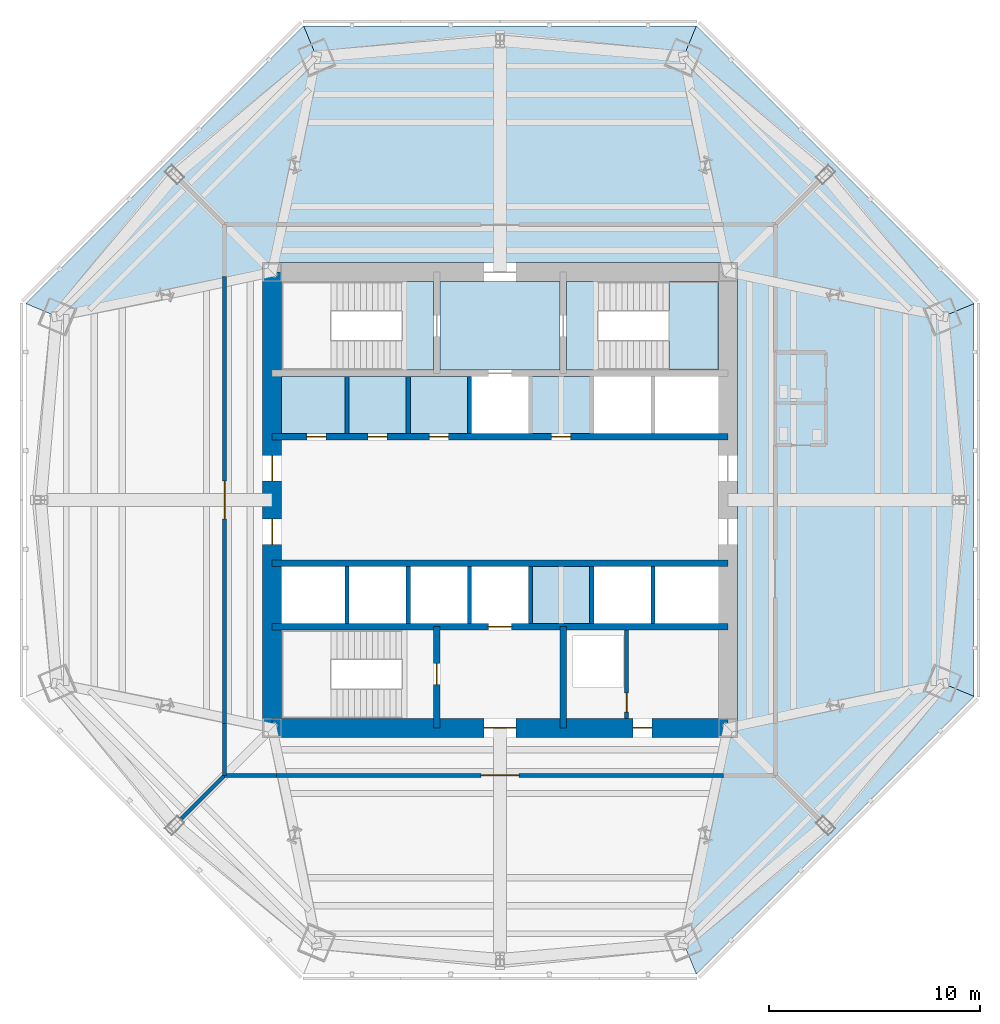
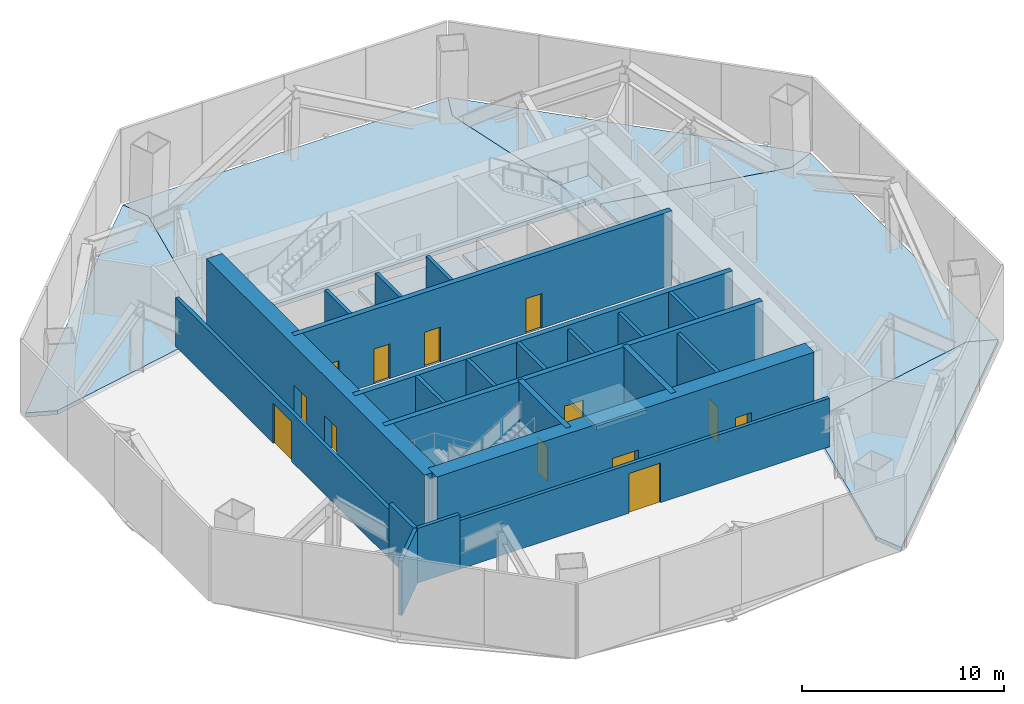
# One storey, part 4 of 9: 22 walls, 13 doors, 12 slabs, 13 openings, 2 elements without a shape of their own.
"""IFC4 building model written with IfcOpenShell, lengths in metres."""

from ifc_helpers import new_model, si_unit, direction, frame, frame_2d, origin, place, context, subcontext, project, spatial, polyline, rectangle, outline, extrude, material, layer, layer_set, type_object, element, fill, aggregate, save


model = new_model("IFC4")

# Units and contexts
model_context = context("Model", 3, precision=1e-05, world=origin(), true_north=direction((0.0, 1.0)))
body_context = subcontext(model_context, "Body", "Model", "MODEL_VIEW")
ifc_project = project(units=[si_unit("LENGTHUNIT", "METRE"), si_unit("AREAUNIT", "SQUARE_METRE"), si_unit("VOLUMEUNIT", "CUBIC_METRE"), si_unit("PLANEANGLEUNIT", "RADIAN"), si_unit("MASSUNIT", "GRAM", prefix="KILO")], contexts=[model_context])

# Site, building, storey
site_placement = place(None, origin())
site = spatial("IfcSite", under=ifc_project, at=site_placement, CompositionType="ELEMENT")
building_placement = place(site_placement, origin())
building = spatial("IfcBuilding", under=site, at=building_placement, Name="Mashrafa Tower", CompositionType="ELEMENT")
storey_placement = place(building_placement, frame((0.0, 0.0, 189.0)))
storey = spatial("IfcBuildingStorey", under=building, at=storey_placement, Name="L43", CompositionType="ELEMENT", Elevation=189.0)

# Slabs
ifc_material_1 = material(Name="Concrete C35/45", Category="concrete")
ifc_layer_1 = layer(ifc_material_1, 0.25)
ifc_layer_set_1 = layer_set([ifc_layer_1], Name="Floor slab 250")
slab_type_1 = type_object("IfcSlabType", Name="Floor slab 250", PredefinedType="FLOOR", material=ifc_layer_set_1)
slab_1_placement = place(storey_placement, frame((0.0, 0.0, -0.25)))
element("IfcSlab", 1, at=slab_1_placement, inside=storey, type_object=slab_type_1, Name="Floor slab L43 east bay", PredefinedType="FLOOR", context=body_context, shape_type="SweptSolid", body=[
    extrude(outline(polyline([(22.46826171875, 9.306640625), (22.46826171875, -9.306640625), (22.468017578125, -9.306640625), (20.9970703125, -8.697265625), (11.25, -10.707275390625), (11.25, 10.707275390625), (20.9970703125, 8.697265625), (22.468017578125, 9.306640625), (22.46826171875, 9.306640625)])), origin(), (0.0, 0.0, 1.0), 0.25),
])
slab_2_placement = place(storey_placement, frame((0.0, 0.0, -0.25)))
element("IfcSlab", 2, at=slab_2_placement, inside=storey, type_object=slab_type_1, Name="Floor slab L43 north-east bay", PredefinedType="FLOOR", context=body_context, shape_type="SweptSolid", body=[
    extrude(outline(polyline([(22.468017578125, 9.306640625), (20.9970703125, 8.697265625), (11.25, 10.707275390625), (11.25, 11.25), (10.707275390625, 11.25), (8.697265625, 20.9970703125), (9.306640625, 22.468017578125), (22.468017578125, 9.306640625)])), origin(), (0.0, 0.0, 1.0), 0.25),
])
slab_3_placement = place(storey_placement, frame((0.0, 0.0, -0.25)))
element("IfcSlab", 3, at=slab_3_placement, inside=storey, type_object=slab_type_1, Name="Floor slab L43 north bay", PredefinedType="FLOOR", context=body_context, shape_type="SweptSolid", body=[
    extrude(outline(polyline([(-9.306640625, 22.46826171875), (9.306640625, 22.46826171875), (9.306640625, 22.468017578125), (8.697265625, 20.9970703125), (10.707275390625, 11.25), (-10.707275390625, 11.25), (-8.697265625, 20.9970703125), (-9.306640625, 22.468017578125), (-9.306640625, 22.46826171875)])), origin(), (0.0, 0.0, 1.0), 0.25),
])
slab_4_placement = place(storey_placement, frame((0.0, 0.0, -0.25)))
element("IfcSlab", 4, at=slab_4_placement, inside=storey, type_object=slab_type_1, Name="Floor slab L43 north-west bay", PredefinedType="FLOOR", context=body_context, shape_type="SweptSolid", body=[
    extrude(outline(polyline([(-9.306640625, 22.468017578125), (-8.697265625, 20.9970703125), (-10.707275390625, 11.25), (-11.25, 11.25), (-11.25, 10.707275390625), (-20.9970703125, 8.697265625), (-22.468017578125, 9.306640625), (-9.306640625, 22.468017578125)])), origin(), (0.0, 0.0, 1.0), 0.25),
])
slab_5_placement = place(storey_placement, frame((0.0, 0.0, -0.25)))
element("IfcSlab", 5, at=slab_5_placement, inside=storey, type_object=slab_type_1, Name="Floor slab L43 south-east bay", PredefinedType="FLOOR", context=body_context, shape_type="SweptSolid", body=[
    extrude(outline(polyline([(9.306640625, -22.468017578125), (8.697265625, -20.9970703125), (10.707275390625, -11.25), (11.25, -11.25), (11.25, -10.707275390625), (20.9970703125, -8.697265625), (22.468017578125, -9.306640625), (9.306640625, -22.468017578125)])), origin(), (0.0, 0.0, 1.0), 0.25),
])
slab_6_placement = place(storey_placement, frame((0.0, 0.0, -0.25)))
element("IfcSlab", 6, at=slab_6_placement, inside=storey, type_object=slab_type_1, Name="Core floor lift cell L43", PredefinedType="FLOOR", context=body_context, shape_type="SweptSolid", body=[
    extrude(outline(polyline([(-1.449951171875, 5.85009765625), (-1.449951171875, 3.14990234375), (-10.35009765625, 3.14990234375), (-10.35009765625, 5.85009765625), (-1.449951171875, 5.85009765625)])), origin(), (0.0, 0.0, 1.0), 0.25),
])
slab_7_placement = place(storey_placement, frame((0.0, 0.0, -0.25)))
element("IfcSlab", 7, at=slab_7_placement, inside=storey, type_object=slab_type_1, Name="Core floor fire-fighting lobby north L43", PredefinedType="FLOOR", context=body_context, shape_type="SweptSolid", body=[
    extrude(outline(polyline([(-2.85009765625, 10.35009765625), (2.85009765625, 10.35009765625), (2.85009765625, 6.14990234375), (-2.85009765625, 6.14990234375), (-2.85009765625, 10.35009765625)])), origin(), (0.0, 0.0, 1.0), 0.25),
])
slab_8_placement = place(storey_placement, frame((0.0, 0.0, -0.25)))
element("IfcSlab", 8, at=slab_8_placement, inside=storey, type_object=slab_type_1, Name="Core floor lift cell L43", PredefinedType="FLOOR", context=body_context, shape_type="SweptSolid", body=[
    extrude(outline(polyline([(4.35009765625, 5.85009765625), (4.35009765625, 3.14990234375), (1.449951171875, 3.14990234375), (1.449951171875, 5.85009765625), (4.35009765625, 5.85009765625)])), origin(), (0.0, 0.0, 1.0), 0.25),
])
slab_9_placement = place(storey_placement, frame((0.0, 0.0, -0.25)))
element("IfcSlab", 9, at=slab_9_placement, inside=storey, type_object=slab_type_1, Name="Core floor lift cell L43", PredefinedType="FLOOR", context=body_context, shape_type="SweptSolid", body=[
    extrude(outline(polyline([(4.35009765625, -3.14990234375), (4.35009765625, -5.85009765625), (1.449951171875, -5.85009765625), (1.449951171875, -3.14990234375), (4.35009765625, -3.14990234375)])), origin(), (0.0, 0.0, 1.0), 0.25),
])

# Stair, slab
ifc_material_2 = material(Name="Exit stair 1400")
stair_type = type_object("IfcStairType", Name="Exit stair 1400", PredefinedType="HALF_TURN_STAIR", material=ifc_material_2)
stair_1_placement = place(storey_placement, origin())
stair_1 = element("IfcStair", 10, at=stair_1_placement, inside=storey, type_object=stair_type, Name="Stair S2 L43", PredefinedType="HALF_TURN_STAIR")
ifc_material_3 = material(Name="Concrete C32/40", Category="concrete")
ifc_layer_2 = layer(ifc_material_3, 0.199951171875)
ifc_layer_set_2 = layer_set([ifc_layer_2], Name="Stair landing 200")
slab_type_2 = type_object("IfcSlabType", Name="Stair landing 200", PredefinedType="LANDING", material=ifc_layer_set_2)
slab_10_placement = place(storey_placement, frame((0.0, 0.0, 2.050048828125)))
slab_10 = element("IfcSlab", 11, at=slab_10_placement, type_object=slab_type_2, Name="S2 landing 2", PredefinedType="LANDING", context=body_context, shape_type="SweptSolid", body=[
    extrude(outline(polyline([(8.0, 6.14990234375), (10.35009765625, 6.14990234375), (10.35009765625, 10.35009765625), (8.0, 10.35009765625), (8.0, 6.14990234375)])), origin(), (0.0, 0.0, 1.0), 0.199951171875),
])

stair_2_placement = place(storey_placement, origin())
stair_2 = element("IfcStair", 12, at=stair_2_placement, inside=storey, type_object=stair_type, Name="Stair S1 L43", PredefinedType="HALF_TURN_STAIR")
ifc_material_4 = material(Name="Concrete C32/40", Category="concrete")
ifc_layer_3 = layer(ifc_material_4, 0.25)
ifc_layer_set_3 = layer_set([ifc_layer_3], Name="Stair landing 250")
slab_type_3 = type_object("IfcSlabType", Name="Stair landing 250", PredefinedType="LANDING", material=ifc_layer_set_3)
slab_11_placement = place(storey_placement, frame((0.0, 0.0, -0.25)))
slab_11 = element("IfcSlab", 13, at=slab_11_placement, type_object=slab_type_3, Name="S1 landing 1", PredefinedType="LANDING", context=body_context, shape_type="SweptSolid", body=[
    extrude(outline(polyline([(-4.659912109375, 6.14990234375), (-3.14990234375, 6.14990234375), (-3.14990234375, 10.35009765625), (-4.659912109375, 10.35009765625), (-4.659912109375, 6.14990234375)])), origin(), (0.0, 0.0, 1.0), 0.25),
])
aggregate(stair_2, [slab_11])

# Slab
slab_12_placement = place(storey_placement, frame((0.0, 0.0, -0.25)))
slab_12 = element("IfcSlab", 14, at=slab_12_placement, type_object=slab_type_3, Name="S2 landing 1", PredefinedType="LANDING", context=body_context, shape_type="SweptSolid", body=[
    extrude(outline(polyline([(3.14990234375, 6.14990234375), (4.659912109375, 6.14990234375), (4.659912109375, 10.35009765625), (3.14990234375, 10.35009765625), (3.14990234375, 6.14990234375)])), origin(), (0.0, 0.0, 1.0), 0.25),
])

aggregate(stair_1, [slab_12, slab_10])

# Wall, opening, door
ifc_material_5 = material(Name="Concrete masonry unit", Category="masonry")
ifc_layer_4 = layer(ifc_material_5, 0.199951171875)
ifc_layer_set_4 = layer_set([ifc_layer_4], Name="Blockwork wall 200 2 hr")
wall_type_1 = type_object("IfcWallType", Name="Blockwork wall 200 2 hr", PredefinedType="PARTITIONING", material=ifc_layer_set_4)
wall_1_placement = place(storey_placement, frame((-13.050048828125, 10.578857421875, 0.0), z_axis=(0.0, 0.0, 1.0), x_axis=(0.0, -1.0, 0.0)))
wall_1 = element("IfcWall", 15, at=wall_1_placement, inside=storey, type_object=wall_type_1, Name="Blockwork wall L43-008", PredefinedType="PARTITIONING", context=body_context, shape_type="SweptSolid", body=[
    extrude(rectangle(XDim=21.15771484375, YDim=0.199951171875, at=frame_2d((10.578857421875, 0.0))), origin(), (0.0, 0.0, 1.0), 2.93994140625),
])
opening_1_placement = place(wall_1_placement, frame((9.678955078125, 0.0, 0.0)))
opening_1 = element("IfcOpeningElement", 16, at=opening_1_placement, cuts=wall_1, Name="Opening 43.004", PredefinedType="OPENING", context=body_context, shape_type="SweptSolid", body=[
    extrude(rectangle(XDim=1.800048828125, YDim=2.39990234375, at=frame_2d((0.89990234375, 1.199951171875))), frame((0.0, 0.10986328125, 0.0), z_axis=(0.0, -1.0, 0.0), x_axis=(1.0, 0.0, 0.0)), (0.0, 0.0, 1.0), 0.219970703125),
])
ifc_material_6 = material(Name="Steel door", Category="steel")
door_type_1 = type_object("IfcDoorType", Name="Door pair 1800 x 2400 90 min", OperationType="DOUBLE_DOOR_SINGLE_SWING", PredefinedType="DOOR", material=ifc_material_6)
door_1_placement = place(opening_1_placement, origin())
door_1 = element("IfcDoor", 17, at=door_1_placement, inside=storey, type_object=door_type_1, Name="Refuge Area L43 West door", OperationType="DOUBLE_DOOR_SINGLE_SWING", OverallHeight=2.39990234375, OverallWidth=1.800048828125, PredefinedType="DOOR", context=body_context, shape_type="SweptSolid", body=[
    extrude(rectangle(XDim=1.800048828125, YDim=2.39990234375, at=frame_2d((0.89990234375, 1.199951171875))), frame((0.0, 0.02490234375, 0.0), z_axis=(0.0, -1.0, 0.0), x_axis=(1.0, 0.0, 0.0)), (0.0, 0.0, 1.0), 0.050048828125),
])
fill(opening_1, door_1)

# Walls
for number, where, z_axis, x_axis, name in (
    (18, (-13.050048828125, -10.580810546875, 0.0), (0.0, 0.0, 1.0), (0.0, -1.0, 0.0), "Blockwork wall L43-009"),
    (19, (-13.050048828125, -13.050048828125, 0.0), (0.0, 0.0, 1.0), (1.0, 0.0, 0.0), "Blockwork wall L43-013"),
):
    element("IfcWall", number, at=place(storey_placement, frame(where, z_axis=z_axis, x_axis=x_axis)), inside=storey, type_object=wall_type_1, Name=name, PredefinedType="PARTITIONING", context=body_context, shape_type="SweptSolid", body=[
        extrude(rectangle(XDim=2.46923828125, YDim=0.199951171875, at=frame_2d((1.234619140625, 0.0))), origin(), (0.0, 0.0, 1.0), 3.31298828125),
    ])

# Wall, opening, door
wall_2_placement = place(storey_placement, frame((-10.578857421875, -13.050048828125, 0.0), z_axis=(0.0, 0.0, 1.0), x_axis=(1.0, 0.0, 0.0)))
wall_2 = element("IfcWall", 20, at=wall_2_placement, inside=storey, type_object=wall_type_1, Name="Blockwork wall L43-014", PredefinedType="PARTITIONING", context=body_context, shape_type="SweptSolid", body=[
    extrude(rectangle(XDim=21.15771484375, YDim=0.199951171875, at=frame_2d((10.578857421875, 0.0))), origin(), (0.0, 0.0, 1.0), 2.93994140625),
])
opening_2_placement = place(wall_2_placement, frame((9.678955078125, 0.0, 0.0)))
opening_2 = element("IfcOpeningElement", 21, at=opening_2_placement, cuts=wall_2, Name="Opening 43.006", PredefinedType="OPENING", context=body_context, shape_type="SweptSolid", body=[
    extrude(rectangle(XDim=1.800048828125, YDim=2.39990234375, at=frame_2d((0.89990234375, 1.199951171875))), frame((0.0, 0.10986328125, 0.0), z_axis=(0.0, -1.0, 0.0), x_axis=(1.0, 0.0, 0.0)), (0.0, 0.0, 1.0), 0.219970703125),
])
door_2_placement = place(opening_2_placement, frame((1.800048828125, 0.0, 0.0), z_axis=(0.0, 0.0, 1.0), x_axis=(-1.0, 0.0, 0.0)))
door_2 = element("IfcDoor", 22, at=door_2_placement, inside=storey, type_object=door_type_1, Name="Air Handling Plant Room L43 door", OperationType="DOUBLE_DOOR_SINGLE_SWING", OverallHeight=2.39990234375, OverallWidth=1.800048828125, PredefinedType="DOOR", context=body_context, shape_type="SweptSolid", body=[
    extrude(rectangle(XDim=1.800048828125, YDim=2.39990234375, at=frame_2d((0.89990234375, 1.199951171875))), frame((0.0, 0.02490234375, 0.0), z_axis=(0.0, -1.0, 0.0), x_axis=(1.0, 0.0, 0.0)), (0.0, 0.0, 1.0), 0.050048828125),
])
fill(opening_2, door_2)

# Wall
wall_3_placement = place(storey_placement, frame((-15.126220703125, -15.126220703125, 0.0), z_axis=(0.0, 0.0, 1.0), x_axis=(0.707106781187, 0.707106781187, 0.0)))
element("IfcWall", 23, at=wall_3_placement, inside=storey, type_object=wall_type_1, Name="Blockwork wall L43-024", PredefinedType="PARTITIONING", context=body_context, shape_type="SweptSolid", body=[
    extrude(rectangle(XDim=2.93603515625, YDim=0.199951171875, at=frame_2d((1.468017578125, 0.0))), origin(), (0.0, 0.0, 1.0), 3.31298828125),
])

# Wall, opening, door
wall_4_placement = place(storey_placement, frame((6.0, -10.35009765625, 0.0), z_axis=(0.0, 0.0, 1.0), x_axis=(0.0, 1.0, 0.0)))
wall_4 = element("IfcWall", 24, at=wall_4_placement, inside=storey, type_object=wall_type_1, Name="Riser enclosure wall L43", PredefinedType="PARTITIONING", context=body_context, shape_type="SweptSolid", body=[
    extrude(rectangle(XDim=4.2001953125, YDim=0.199951171875, at=frame_2d((2.10009765625, 0.0))), origin(), (0.0, 0.0, 1.0), 4.25),
])
opening_3_placement = place(wall_4_placement, frame((0.300048828125, 0.0, 0.0)))
opening_3 = element("IfcOpeningElement", 25, at=opening_3_placement, cuts=wall_4, Name="Opening 43.017", PredefinedType="OPENING", context=body_context, shape_type="SweptSolid", body=[
    extrude(rectangle(XDim=0.89990234375, YDim=2.10009765625, at=frame_2d((0.449951171875, 1.050048828125))), frame((0.0, 0.10986328125, 0.0), z_axis=(0.0, -1.0, 0.0), x_axis=(1.0, 0.0, 0.0)), (0.0, 0.0, 1.0), 0.219970703125),
])
ifc_material_7 = material(Name="Steel door", Category="steel")
door_type_2 = type_object("IfcDoorType", Name="Service door 900 x 2100 90 min", OperationType="USERDEFINED", PredefinedType="DOOR", material=ifc_material_7)
door_3_placement = place(opening_3_placement, origin())
door_3 = element("IfcDoor", 26, at=door_3_placement, inside=storey, type_object=door_type_2, Name="Riser door L43", OperationType="SINGLE_SWING_LEFT", OverallHeight=2.10009765625, OverallWidth=0.89990234375, PredefinedType="DOOR", context=body_context, shape_type="SweptSolid", body=[
    extrude(rectangle(XDim=0.89990234375, YDim=2.10009765625, at=frame_2d((0.449951171875, 1.050048828125))), frame((0.0, 0.02490234375, 0.0), z_axis=(0.0, -1.0, 0.0), x_axis=(1.0, 0.0, 0.0)), (0.0, 0.0, 1.0), 0.050048828125),
])
fill(opening_3, door_3)

# Wall, openings, doors
ifc_material_8 = material(Name="Concrete C60/75", Category="concrete")
ifc_layer_5 = layer(ifc_material_8, 0.300048828125)
ifc_layer_set_5 = layer_set([ifc_layer_5], Name="Core wall 300 C60/75")
wall_type_2 = type_object("IfcWallType", Name="Core wall 300 C60/75", PredefinedType="SOLIDWALL", material=ifc_layer_set_5)
wall_5_placement = place(storey_placement, frame((-10.800048828125, 3.0, 0.0), z_axis=(0.0, 0.0, 1.0), x_axis=(1.0, 0.0, 0.0)))
wall_5 = element("IfcWall", 27, at=wall_5_placement, inside=storey, type_object=wall_type_2, Name="Core wall CH-N L43", PredefinedType="SOLIDWALL", context=body_context, shape_type="SweptSolid", body=[
    extrude(rectangle(XDim=21.60009765625, YDim=0.300048828125, at=frame_2d((10.800048828125, 0.0))), origin(), (0.0, 0.0, 1.0), 4.5),
])
opening_4_placement = place(wall_5_placement, frame((1.64990234375, 0.0, 0.0)))
opening_4 = element("IfcOpeningElement", 28, at=opening_4_placement, cuts=wall_5, Name="Opening 43.018", PredefinedType="OPENING", context=body_context, shape_type="SweptSolid", body=[
    extrude(rectangle(XDim=0.89990234375, YDim=2.10009765625, at=frame_2d((0.449951171875, 1.050048828125))), frame((0.0, 0.159912109375, 0.0), z_axis=(0.0, -1.0, 0.0), x_axis=(1.0, 0.0, 0.0)), (0.0, 0.0, 1.0), 0.320068359375),
])
opening_5_placement = place(wall_5_placement, frame((4.550048828125, 0.0, 0.0)))
opening_5 = element("IfcOpeningElement", 29, at=opening_5_placement, cuts=wall_5, Name="Opening 43.019", PredefinedType="OPENING", context=body_context, shape_type="SweptSolid", body=[
    extrude(rectangle(XDim=0.89990234375, YDim=2.10009765625, at=frame_2d((0.449951171875, 1.050048828125))), frame((0.0, 0.159912109375, 0.0), z_axis=(0.0, -1.0, 0.0), x_axis=(1.0, 0.0, 0.0)), (0.0, 0.0, 1.0), 0.320068359375),
])
opening_6_placement = place(wall_5_placement, frame((7.449951171875, 0.0, 0.0)))
opening_6 = element("IfcOpeningElement", 30, at=opening_6_placement, cuts=wall_5, Name="Opening 43.020", PredefinedType="OPENING", context=body_context, shape_type="SweptSolid", body=[
    extrude(rectangle(XDim=0.89990234375, YDim=2.10009765625, at=frame_2d((0.449951171875, 1.050048828125))), frame((0.0, 0.159912109375, 0.0), z_axis=(0.0, -1.0, 0.0), x_axis=(1.0, 0.0, 0.0)), (0.0, 0.0, 1.0), 0.320068359375),
])
opening_7_placement = place(wall_5_placement, frame((13.25, 0.0, 0.0)))
opening_7 = element("IfcOpeningElement", 31, at=opening_7_placement, cuts=wall_5, Name="Opening 43.021", PredefinedType="OPENING", context=body_context, shape_type="SweptSolid", body=[
    extrude(rectangle(XDim=0.89990234375, YDim=2.10009765625, at=frame_2d((0.449951171875, 1.050048828125))), frame((0.0, 0.159912109375, 0.0), z_axis=(0.0, -1.0, 0.0), x_axis=(1.0, 0.0, 0.0)), (0.0, 0.0, 1.0), 0.320068359375),
])
ifc_material_9 = material(Name="Timber door", Category="wood")
door_type_3 = type_object("IfcDoorType", Name="Store door 900 x 2100", OperationType="USERDEFINED", PredefinedType="DOOR", material=ifc_material_9)
door_4_placement = place(opening_4_placement, origin())
door_4 = element("IfcDoor", 32, at=door_4_placement, inside=storey, type_object=door_type_3, Name="Plant Store L43-A1 door", OperationType="SINGLE_SWING_RIGHT", OverallHeight=2.10009765625, OverallWidth=0.89990234375, PredefinedType="DOOR", context=body_context, shape_type="SweptSolid", body=[
    extrude(rectangle(XDim=0.89990234375, YDim=2.10009765625, at=frame_2d((0.449951171875, 1.050048828125))), frame((0.0, 0.02490234375, 0.0), z_axis=(0.0, -1.0, 0.0), x_axis=(1.0, 0.0, 0.0)), (0.0, 0.0, 1.0), 0.050048828125),
])
fill(opening_4, door_4)
door_5_placement = place(opening_5_placement, origin())
door_5 = element("IfcDoor", 33, at=door_5_placement, inside=storey, type_object=door_type_3, Name="Plant Store L43-A2 door", OperationType="SINGLE_SWING_LEFT", OverallHeight=2.10009765625, OverallWidth=0.89990234375, PredefinedType="DOOR", context=body_context, shape_type="SweptSolid", body=[
    extrude(rectangle(XDim=0.89990234375, YDim=2.10009765625, at=frame_2d((0.449951171875, 1.050048828125))), frame((0.0, 0.02490234375, 0.0), z_axis=(0.0, -1.0, 0.0), x_axis=(1.0, 0.0, 0.0)), (0.0, 0.0, 1.0), 0.050048828125),
])
fill(opening_5, door_5)
door_6_placement = place(opening_6_placement, origin())
door_6 = element("IfcDoor", 34, at=door_6_placement, inside=storey, type_object=door_type_3, Name="Plant Store L43-A3 door", OperationType="SINGLE_SWING_LEFT", OverallHeight=2.10009765625, OverallWidth=0.89990234375, PredefinedType="DOOR", context=body_context, shape_type="SweptSolid", body=[
    extrude(rectangle(XDim=0.89990234375, YDim=2.10009765625, at=frame_2d((0.449951171875, 1.050048828125))), frame((0.0, 0.02490234375, 0.0), z_axis=(0.0, -1.0, 0.0), x_axis=(1.0, 0.0, 0.0)), (0.0, 0.0, 1.0), 0.050048828125),
])
fill(opening_6, door_6)
door_7_placement = place(opening_7_placement, origin())
door_7 = element("IfcDoor", 35, at=door_7_placement, inside=storey, type_object=door_type_3, Name="Plant Store L43-A4 door", OperationType="SINGLE_SWING_LEFT", OverallHeight=2.10009765625, OverallWidth=0.89990234375, PredefinedType="DOOR", context=body_context, shape_type="SweptSolid", body=[
    extrude(rectangle(XDim=0.89990234375, YDim=2.10009765625, at=frame_2d((0.449951171875, 1.050048828125))), frame((0.0, 0.02490234375, 0.0), z_axis=(0.0, -1.0, 0.0), x_axis=(1.0, 0.0, 0.0)), (0.0, 0.0, 1.0), 0.050048828125),
])
fill(opening_7, door_7)

# Wall
wall_6_placement = place(storey_placement, frame((-10.800048828125, -3.0, 0.0), z_axis=(0.0, 0.0, 1.0), x_axis=(1.0, 0.0, 0.0)))
element("IfcWall", 36, at=wall_6_placement, inside=storey, type_object=wall_type_2, Name="Core wall CH-S L43", PredefinedType="SOLIDWALL", context=body_context, shape_type="SweptSolid", body=[
    extrude(rectangle(XDim=21.60009765625, YDim=0.300048828125, at=frame_2d((10.800048828125, 0.0))), origin(), (0.0, 0.0, 1.0), 4.5),
])

# Wall, opening, door
wall_7_placement = place(storey_placement, frame((-10.800048828125, -6.0, 0.0), z_axis=(0.0, 0.0, 1.0), x_axis=(1.0, 0.0, 0.0)))
wall_7 = element("IfcWall", 37, at=wall_7_placement, inside=storey, type_object=wall_type_2, Name="Core wall CB-S L43", PredefinedType="SOLIDWALL", context=body_context, shape_type="SweptSolid", body=[
    extrude(rectangle(XDim=21.60009765625, YDim=0.300048828125, at=frame_2d((10.800048828125, 0.0))), origin(), (0.0, 0.0, 1.0), 4.5),
])
opening_8_placement = place(wall_7_placement, frame((10.25, 0.0, 0.0)))
opening_8 = element("IfcOpeningElement", 38, at=opening_8_placement, cuts=wall_7, Name="Opening 43.F2", PredefinedType="OPENING", context=body_context, shape_type="SweptSolid", body=[
    extrude(rectangle(XDim=1.10009765625, YDim=2.10009765625, at=frame_2d((0.550048828125, 1.050048828125))), frame((0.0, 0.159912109375, 0.0), z_axis=(0.0, -1.0, 0.0), x_axis=(1.0, 0.0, 0.0)), (0.0, 0.0, 1.0), 0.320068359375),
])
ifc_material_10 = material(Name="Steel door", Category="steel")
door_type_4 = type_object("IfcDoorType", Name="Lift landing door 1100 x 2100 90 min", OperationType="DOUBLE_DOOR_SLIDING", PredefinedType="DOOR", material=ifc_material_10)
door_8_placement = place(opening_8_placement, origin())
door_8 = element("IfcDoor", 39, at=door_8_placement, inside=storey, type_object=door_type_4, Name="Lift landing door F2 L43", OperationType="DOUBLE_DOOR_SLIDING", OverallHeight=2.10009765625, OverallWidth=1.10009765625, PredefinedType="DOOR", context=body_context, shape_type="SweptSolid", body=[
    extrude(rectangle(XDim=1.10009765625, YDim=2.10009765625, at=frame_2d((0.550048828125, 1.050048828125))), frame((0.0, 0.02490234375, 0.0), z_axis=(0.0, -1.0, 0.0), x_axis=(1.0, 0.0, 0.0)), (0.0, 0.0, 1.0), 0.050048828125),
])
fill(opening_8, door_8)

wall_8_placement = place(storey_placement, frame((-3.0, -6.0, 0.0), z_axis=(0.0, 0.0, 1.0), x_axis=(0.0, -1.0, 0.0)))
wall_8 = element("IfcWall", 40, at=wall_8_placement, inside=storey, type_object=wall_type_2, Name="Core wall CX-SW L43", PredefinedType="SOLIDWALL", context=body_context, shape_type="SweptSolid", body=[
    extrude(rectangle(XDim=4.800048828125, YDim=0.300048828125, at=frame_2d((2.39990234375, 0.0))), origin(), (0.0, 0.0, 1.0), 4.5),
])
opening_9_placement = place(wall_8_placement, frame((1.75, 0.0, 0.0)))
opening_9 = element("IfcOpeningElement", 41, at=opening_9_placement, cuts=wall_8, Name="Opening 43.015", PredefinedType="OPENING", context=body_context, shape_type="SweptSolid", body=[
    extrude(rectangle(XDim=1.0, YDim=2.10009765625, at=frame_2d((0.5, 1.050048828125))), frame((0.0, 0.159912109375, 0.0), z_axis=(0.0, -1.0, 0.0), x_axis=(1.0, 0.0, 0.0)), (0.0, 0.0, 1.0), 0.320068359375),
])
ifc_material_11 = material(Name="Steel door", Category="steel")
door_type_5 = type_object("IfcDoorType", Name="Stair door 1000 x 2100 90 min", OperationType="USERDEFINED", PredefinedType="DOOR", material=ifc_material_11)
door_9_placement = place(opening_9_placement, frame((1.0, 0.0, 0.0), z_axis=(0.0, 0.0, 1.0), x_axis=(-1.0, 0.0, 0.0)))
door_9 = element("IfcDoor", 42, at=door_9_placement, inside=storey, type_object=door_type_5, Name="Stair S3 door L43", OperationType="SINGLE_SWING_RIGHT", OverallHeight=2.10009765625, OverallWidth=1.0, PredefinedType="DOOR", context=body_context, shape_type="SweptSolid", body=[
    extrude(rectangle(XDim=1.0, YDim=2.10009765625, at=frame_2d((0.5, 1.050048828125))), frame((0.0, 0.02490234375, 0.0), z_axis=(0.0, -1.0, 0.0), x_axis=(1.0, 0.0, 0.0)), (0.0, 0.0, 1.0), 0.050048828125),
])
fill(opening_9, door_9)

# Wall
wall_9_placement = place(storey_placement, frame((3.0, -6.0, 0.0), z_axis=(0.0, 0.0, 1.0), x_axis=(0.0, -1.0, 0.0)))
element("IfcWall", 43, at=wall_9_placement, inside=storey, type_object=wall_type_2, Name="Core wall CX-SE L43", PredefinedType="SOLIDWALL", context=body_context, shape_type="SweptSolid", body=[
    extrude(rectangle(XDim=4.800048828125, YDim=0.300048828125, at=frame_2d((2.39990234375, 0.0))), origin(), (0.0, 0.0, 1.0), 4.5),
])

# Wall, openings, doors
ifc_material_12 = material(Name="Concrete C60/75", Category="concrete")
ifc_layer_6 = layer(ifc_material_12, 0.89990234375)
ifc_layer_set_6 = layer_set([ifc_layer_6], Name="Core wall 900 C60/75")
wall_type_3 = type_object("IfcWallType", Name="Core wall 900 C60/75", PredefinedType="SOLIDWALL", material=ifc_layer_set_6)
wall_10_placement = place(storey_placement, frame((-10.800048828125, -10.800048828125, 0.0), z_axis=(0.0, 0.0, 1.0), x_axis=(1.0, 0.0, 0.0)))
wall_10 = element("IfcWall", 44, at=wall_10_placement, inside=storey, type_object=wall_type_3, Name="Core wall CW-S L43", PredefinedType="SOLIDWALL", context=body_context, shape_type="SweptSolid", body=[
    extrude(rectangle(XDim=21.60009765625, YDim=0.89990234375, at=frame_2d((10.800048828125, 0.0))), origin(), (0.0, 0.0, 1.0), 4.5),
])
opening_10_placement = place(wall_10_placement, frame((10.050048828125, 0.0, 0.0)))
opening_10 = element("IfcOpeningElement", 45, at=opening_10_placement, cuts=wall_10, Name="Opening 43.012", PredefinedType="OPENING", context=body_context, shape_type="SweptSolid", body=[
    extrude(rectangle(XDim=1.5, YDim=2.10009765625, at=frame_2d((0.75, 1.050048828125))), frame((0.0, 0.4599609375, 0.0), z_axis=(0.0, -1.0, 0.0), x_axis=(1.0, 0.0, 0.0)), (0.0, 0.0, 1.0), 0.919921875),
])
opening_11_placement = place(wall_10_placement, frame((17.10009765625, 0.0, 0.0)))
opening_11 = element("IfcOpeningElement", 46, at=opening_11_placement, cuts=wall_10, Name="Opening 43.016", PredefinedType="OPENING", context=body_context, shape_type="SweptSolid", body=[
    extrude(rectangle(XDim=0.89990234375, YDim=2.10009765625, at=frame_2d((0.449951171875, 1.050048828125))), frame((0.0, 0.4599609375, 0.0), z_axis=(0.0, -1.0, 0.0), x_axis=(1.0, 0.0, 0.0)), (0.0, 0.0, 1.0), 0.919921875),
])
ifc_material_13 = material(Name="Steel door", Category="steel")
door_type_6 = type_object("IfcDoorType", Name="Lobby door pair 1500 x 2100 90 min", OperationType="DOUBLE_DOOR_SINGLE_SWING", PredefinedType="DOOR", material=ifc_material_13)
door_10_placement = place(opening_10_placement, origin())
door_10 = element("IfcDoor", 47, at=door_10_placement, inside=storey, type_object=door_type_6, Name="Fire-fighting lobby F2 door L43", OperationType="DOUBLE_DOOR_SINGLE_SWING", OverallHeight=2.10009765625, OverallWidth=1.5, PredefinedType="DOOR", context=body_context, shape_type="SweptSolid", body=[
    extrude(rectangle(XDim=1.5, YDim=2.10009765625, at=frame_2d((0.75, 1.050048828125))), frame((0.0, 0.02490234375, 0.0), z_axis=(0.0, -1.0, 0.0), x_axis=(1.0, 0.0, 0.0)), (0.0, 0.0, 1.0), 0.050048828125),
])
fill(opening_10, door_10)
door_11_placement = place(opening_11_placement, origin())
door_11 = element("IfcDoor", 48, at=door_11_placement, inside=storey, type_object=door_type_2, Name="Plant Store L43 door", OperationType="SINGLE_SWING_LEFT", OverallHeight=2.10009765625, OverallWidth=0.89990234375, PredefinedType="DOOR", context=body_context, shape_type="SweptSolid", body=[
    extrude(rectangle(XDim=0.89990234375, YDim=2.10009765625, at=frame_2d((0.449951171875, 1.050048828125))), frame((0.0, 0.02490234375, 0.0), z_axis=(0.0, -1.0, 0.0), x_axis=(1.0, 0.0, 0.0)), (0.0, 0.0, 1.0), 0.050048828125),
])
fill(opening_11, door_11)

wall_11_placement = place(storey_placement, frame((-10.800048828125, 10.800048828125, 0.0), z_axis=(0.0, 0.0, 1.0), x_axis=(0.0, -1.0, 0.0)))
wall_11 = element("IfcWall", 49, at=wall_11_placement, inside=storey, type_object=wall_type_3, Name="Core wall CW-W L43", PredefinedType="SOLIDWALL", context=body_context, shape_type="SweptSolid", body=[
    extrude(rectangle(XDim=21.60009765625, YDim=0.89990234375, at=frame_2d((10.800048828125, 0.0))), origin(), (0.0, 0.0, 1.0), 4.5),
])
opening_12_placement = place(wall_11_placement, frame((8.699951171875, 0.0, 0.0)))
opening_12 = element("IfcOpeningElement", 50, at=opening_12_placement, cuts=wall_11, Name="Opening 43.008", PredefinedType="OPENING", context=body_context, shape_type="SweptSolid", body=[
    extrude(rectangle(XDim=1.199951171875, YDim=2.10009765625, at=frame_2d((0.60009765625, 1.050048828125))), frame((0.0, 0.4599609375, 0.0), z_axis=(0.0, -1.0, 0.0), x_axis=(1.0, 0.0, 0.0)), (0.0, 0.0, 1.0), 0.919921875),
])
opening_13_placement = place(wall_11_placement, frame((11.699951171875, 0.0, 0.0)))
opening_13 = element("IfcOpeningElement", 51, at=opening_13_placement, cuts=wall_11, Name="Opening 43.010", PredefinedType="OPENING", context=body_context, shape_type="SweptSolid", body=[
    extrude(rectangle(XDim=1.199951171875, YDim=2.10009765625, at=frame_2d((0.60009765625, 1.050048828125))), frame((0.0, 0.4599609375, 0.0), z_axis=(0.0, -1.0, 0.0), x_axis=(1.0, 0.0, 0.0)), (0.0, 0.0, 1.0), 0.919921875),
])
ifc_material_14 = material(Name="Steel door", Category="steel")
door_type_7 = type_object("IfcDoorType", Name="Lift hall door 1200 x 2100 90 min", OperationType="USERDEFINED", PredefinedType="DOOR", material=ifc_material_14)
door_12_placement = place(opening_12_placement, frame((1.199951171875, 0.0, 0.0), z_axis=(0.0, 0.0, 1.0), x_axis=(-1.0, 0.0, 0.0)))
door_12 = element("IfcDoor", 52, at=door_12_placement, inside=storey, type_object=door_type_7, Name="Lift hall door west L43", OperationType="SINGLE_SWING_RIGHT", OverallHeight=2.10009765625, OverallWidth=1.199951171875, PredefinedType="DOOR", context=body_context, shape_type="SweptSolid", body=[
    extrude(rectangle(XDim=1.199951171875, YDim=2.10009765625, at=frame_2d((0.60009765625, 1.050048828125))), frame((0.0, 0.02490234375, 0.0), z_axis=(0.0, -1.0, 0.0), x_axis=(1.0, 0.0, 0.0)), (0.0, 0.0, 1.0), 0.050048828125),
])
fill(opening_12, door_12)
door_13_placement = place(opening_13_placement, frame((1.199951171875, 0.0, 0.0), z_axis=(0.0, 0.0, 1.0), x_axis=(-1.0, 0.0, 0.0)))
door_13 = element("IfcDoor", 53, at=door_13_placement, inside=storey, type_object=door_type_7, Name="Lift hall door west L43", OperationType="SINGLE_SWING_LEFT", OverallHeight=2.10009765625, OverallWidth=1.199951171875, PredefinedType="DOOR", context=body_context, shape_type="SweptSolid", body=[
    extrude(rectangle(XDim=1.199951171875, YDim=2.10009765625, at=frame_2d((0.60009765625, 1.050048828125))), frame((0.0, 0.02490234375, 0.0), z_axis=(0.0, -1.0, 0.0), x_axis=(1.0, 0.0, 0.0)), (0.0, 0.0, 1.0), 0.050048828125),
])
fill(opening_13, door_13)

# Walls
ifc_material_15 = material(Name="Gypsum shaft wall on steel studs", Category="steel")
ifc_layer_7 = layer(ifc_material_15, 0.199951171875)
ifc_layer_set_7 = layer_set([ifc_layer_7], Name="Shaft divider wall 200 2 hr")
wall_type_4 = type_object("IfcWallType", Name="Shaft divider wall 200 2 hr", PredefinedType="PARTITIONING", material=ifc_layer_set_7)
for number, where, z_axis, x_axis, name in (
    (54, (-7.25, 3.14990234375, 0.0), (0.0, 0.0, 1.0), (0.0, 1.0, 0.0), "Shaft divider wall N1 L43"),
    (55, (-4.35009765625, 3.14990234375, 0.0), (0.0, 0.0, 1.0), (0.0, 1.0, 0.0), "Shaft divider wall N2 L43"),
    (56, (-1.449951171875, 3.14990234375, 0.0), (0.0, 0.0, 1.0), (0.0, 1.0, 0.0), "Shaft divider wall N3 L43"),
):
    element("IfcWall", number, at=place(storey_placement, frame(where, z_axis=z_axis, x_axis=x_axis)), inside=storey, type_object=wall_type_4, Name=name, PredefinedType="PARTITIONING", context=body_context, shape_type="SweptSolid", body=[
        extrude(rectangle(XDim=2.7001953125, YDim=0.199951171875, at=frame_2d((1.35009765625, 0.0))), origin(), (0.0, 0.0, 1.0), 4.25),
    ])
for number, where, z_axis, x_axis, name in (
    (57, (-7.25, -5.85009765625, 0.0), (0.0, 0.0, 1.0), (0.0, 1.0, 0.0), "Shaft divider wall S1 L43"),
    (58, (-4.35009765625, -5.85009765625, 0.0), (0.0, 0.0, 1.0), (0.0, 1.0, 0.0), "Shaft divider wall S2 L43"),
    (59, (-1.449951171875, -5.85009765625, 0.0), (0.0, 0.0, 1.0), (0.0, 1.0, 0.0), "Shaft divider wall S3 L43"),
):
    element("IfcWall", number, at=place(storey_placement, frame(where, z_axis=z_axis, x_axis=x_axis)), inside=storey, type_object=wall_type_4, Name=name, PredefinedType="PARTITIONING", context=body_context, shape_type="SweptSolid", body=[
        extrude(rectangle(XDim=2.7001953125, YDim=0.199951171875, at=frame_2d((1.35009765625, 0.0))), origin(), (0.0, 0.0, 1.0), 4.5),
    ])
for number, where, z_axis, x_axis, name in (
    (60, (1.449951171875, -5.85009765625, 0.0), (0.0, 0.0, 1.0), (0.0, 1.0, 0.0), "Shaft divider wall S4 L43"),
    (61, (4.35009765625, -5.85009765625, 0.0), (0.0, 0.0, 1.0), (0.0, 1.0, 0.0), "Shaft divider wall S5 L43"),
):
    element("IfcWall", number, at=place(storey_placement, frame(where, z_axis=z_axis, x_axis=x_axis)), inside=storey, type_object=wall_type_4, Name=name, PredefinedType="PARTITIONING", context=body_context, shape_type="SweptSolid", body=[
        extrude(rectangle(XDim=2.7001953125, YDim=0.199951171875, at=frame_2d((1.35009765625, 0.0))), origin(), (0.0, 0.0, 1.0), 4.25),
    ])
wall_12_placement = place(storey_placement, frame((7.25, -5.85009765625, 0.0), z_axis=(0.0, 0.0, 1.0), x_axis=(0.0, 1.0, 0.0)))
element("IfcWall", 62, at=wall_12_placement, inside=storey, type_object=wall_type_4, Name="Shaft divider wall S6 L43", PredefinedType="PARTITIONING", context=body_context, shape_type="SweptSolid", body=[
    extrude(rectangle(XDim=2.7001953125, YDim=0.199951171875, at=frame_2d((1.35009765625, 0.0))), origin(), (0.0, 0.0, 1.0), 4.5),
])

save(model, "model.ifc")
